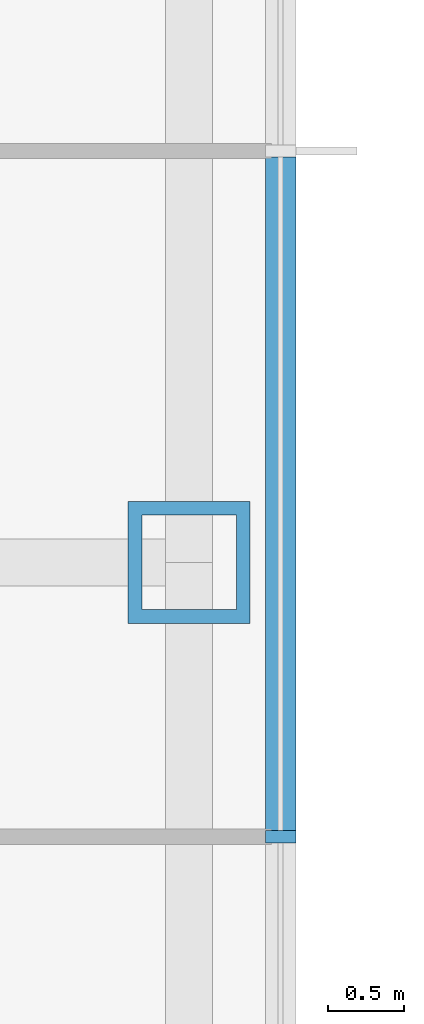
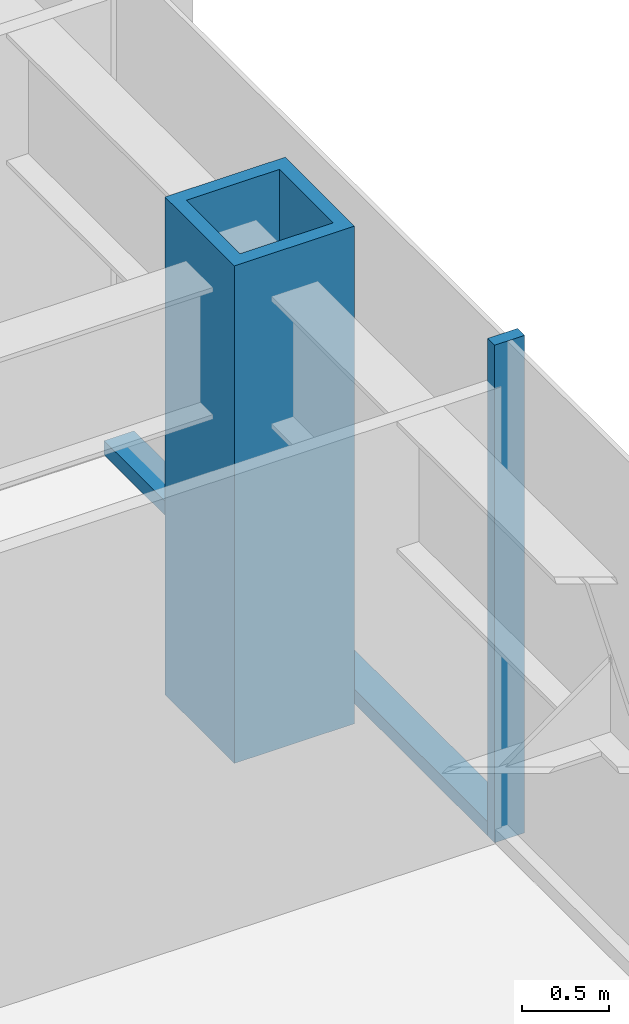
# One storey, part 9 of 32: 3 members, 1 element without a shape of its own.
"""IFC4 building model written with IfcOpenShell, lengths in metres."""

from ifc_helpers import new_model, si_unit, direction, frame, origin, origin_2d, place, context, subcontext, project, spatial, rectangle, hollow_rectangle, extrude, material, material_profile, profile_set, type_object, element, aggregate, save


model = new_model("IFC4")

# Units and contexts
model_context = context("Model", 3, precision=1e-05, world=origin(), true_north=direction((0.0, 1.0)))
body_context = subcontext(model_context, "Body", "Model", "MODEL_VIEW")
ifc_project = project(units=[si_unit("LENGTHUNIT", "METRE"), si_unit("AREAUNIT", "SQUARE_METRE"), si_unit("VOLUMEUNIT", "CUBIC_METRE"), si_unit("PLANEANGLEUNIT", "RADIAN"), si_unit("MASSUNIT", "GRAM", prefix="KILO")], contexts=[model_context])

# Site, building, storey
site_placement = place(None, origin())
site = spatial("IfcSite", under=ifc_project, at=site_placement, CompositionType="ELEMENT")
building_placement = place(site_placement, origin())
building = spatial("IfcBuilding", under=site, at=building_placement, Name="Iwan Alto Co-Living Towers", CompositionType="ELEMENT")
storey_placement = place(building_placement, frame((0.0, 0.0, 71.0)))
storey = spatial("IfcBuildingStorey", under=building, at=storey_placement, Name="L19", CompositionType="ELEMENT", Elevation=71.0)

# Curtain wall, members
ifc_material_1 = material(Name="Bronze aluminium unitised frame", Category="aluminium")
curtain_wall_type = type_object("IfcCurtainWallType", Name="CURTAIN WALL CW-A", PredefinedType="NOTDEFINED", material=ifc_material_1)
curtain_wall_placement = place(storey_placement, origin())
curtain_wall = element("IfcCurtainWall", 1, at=curtain_wall_placement, inside=storey, type_object=curtain_wall_type, Name="T1 curtain wall E L19", PredefinedType="NOTDEFINED")
ifc_material_2 = material(Name="Aluminium 6063-T6 bronze anodised", Category="aluminium")
ifc_material_profile_1 = material_profile(ifc_material_2, rectangle(XDim=0.199951171875, YDim=0.080078125, at=origin_2d()), Name="AL 80X200")
ifc_profile_set_1 = profile_set([ifc_material_profile_1], Name="Aluminium 6063-T6 bronze anodised")
member_type_1 = type_object("IfcMemberType", Name="CW-A MULLION 80X200", PredefinedType="MULLION", material=ifc_profile_set_1)
member_1_placement = place(storey_placement, frame((23.25, 2.25, 0.0), z_axis=(0.0, 0.0, 1.0), x_axis=(-1.0, 0.0, 0.0)))
member_1 = element("IfcMember", 2, at=member_1_placement, type_object=member_type_1, Name="CW-A mullion 6", PredefinedType="MULLION", context=body_context, shape_type="SweptSolid", body=[
    extrude(rectangle(XDim=0.199951171875, YDim=0.080078125, at=origin_2d()), origin(), (0.0, 0.0, 1.0), 3.5),
])
ifc_material_3 = material(Name="Aluminium 6063-T6 bronze anodised", Category="aluminium")
ifc_material_profile_2 = material_profile(ifc_material_3, rectangle(XDim=0.199951171875, YDim=0.10009765625, at=origin_2d()), Name="AL 200X100")
ifc_profile_set_2 = profile_set([ifc_material_profile_2], Name="Aluminium 6063-T6 bronze anodised")
member_type_2 = type_object("IfcMemberType", Name="CW-A TRANSOM 200X100", PredefinedType="USERDEFINED", material=ifc_profile_set_2)
member_2_placement = place(storey_placement, frame((23.25, 2.2900390625, 0.050048828125), z_axis=(0.0, 1.0, 0.0), x_axis=(-1.0, 0.0, 0.0)))
member_2 = element("IfcMember", 3, at=member_2_placement, type_object=member_type_2, Name="CW-A transom 6.1", ObjectType="TRANSOM", PredefinedType="USERDEFINED", context=body_context, shape_type="SweptSolid", body=[
    extrude(rectangle(XDim=0.199951171875, YDim=0.10009765625, at=origin_2d()), origin(), (0.0, 0.0, 1.0), 4.419921875),
])
aggregate(curtain_wall, [member_1, member_2])

# Member
ifc_material_4 = material(Name="Steel ASTM A572 Gr 50", Category="steel")
ifc_material_profile_3 = material_profile(ifc_material_4, hollow_rectangle(XDim=0.800048828125, YDim=0.800048828125, WallThickness=0.090087890625, at=origin_2d()), Name="BOX 800X800X90")
ifc_profile_set_3 = profile_set([ifc_material_profile_3], Name="Steel ASTM A572 Gr 50")
member_type_3 = type_object("IfcMemberType", Name="T1 RING POST AT STEP BOX 800X800X90", PredefinedType="MEMBER", material=ifc_profile_set_3)
member_3_placement = place(storey_placement, frame((22.64990234375, 4.050048828125, 0.0), z_axis=(0.0, 0.0, 1.0), x_axis=(1.0, 0.0, 0.0)))
element("IfcMember", 4, at=member_3_placement, inside=storey, type_object=member_type_3, Name="T1 ring post at step E3 L19", PredefinedType="MEMBER", context=body_context, shape_type="SweptSolid", body=[
    extrude(hollow_rectangle(XDim=0.800048828125, YDim=0.800048828125, WallThickness=0.090087890625, at=origin_2d()), origin(), (0.0, 0.0, 1.0), 3.5),
])

save(model, "model.ifc")
